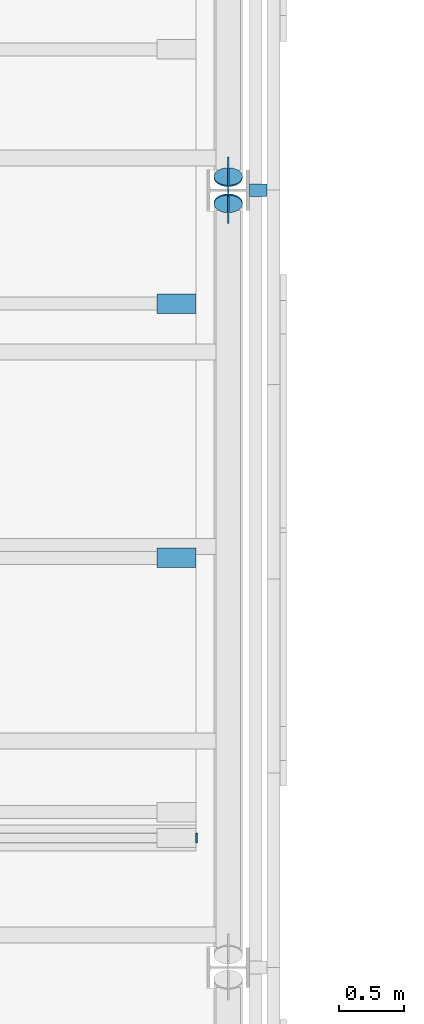
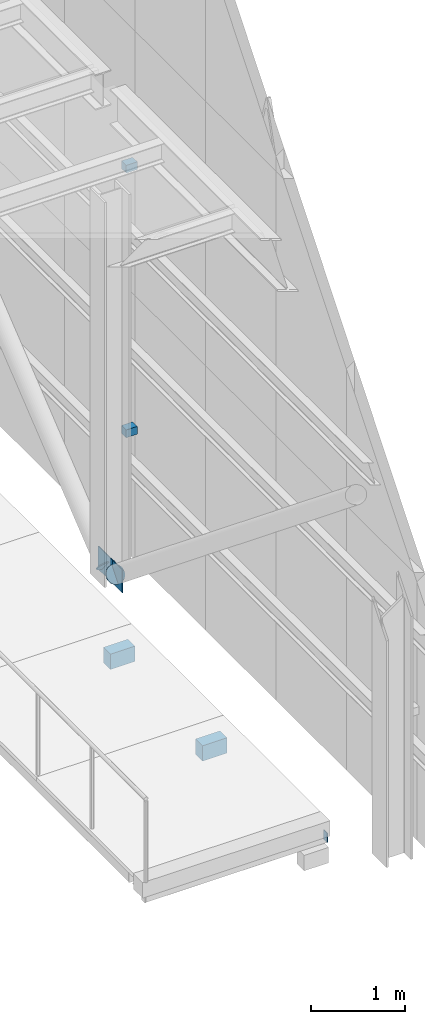
# One storey, part 23 of 43: 9 discrete accessories.
"""IFC4 building model written with IfcOpenShell, lengths in metres."""

from ifc_helpers import new_model, si_unit, direction, frame, origin, origin_2d, place, context, subcontext, project, spatial, rectangle, circle, extrude, material, material_profile, profile_set, type_object, element, save


model = new_model("IFC4")

# Units and contexts
model_context = context("Model", 3, precision=1e-05, world=origin(), true_north=direction((0.0, 1.0)))
body_context = subcontext(model_context, "Body", "Model", "MODEL_VIEW")
ifc_project = project(units=[si_unit("LENGTHUNIT", "METRE"), si_unit("AREAUNIT", "SQUARE_METRE"), si_unit("VOLUMEUNIT", "CUBIC_METRE"), si_unit("PLANEANGLEUNIT", "RADIAN"), si_unit("MASSUNIT", "GRAM", prefix="KILO")], contexts=[model_context])

# Site, building, storey
site_placement = place(None, origin())
site = spatial("IfcSite", under=ifc_project, at=site_placement, CompositionType="ELEMENT")
building_placement = place(site_placement, origin())
building = spatial("IfcBuilding", under=site, at=building_placement, Name="Saffron Lane Theatres", CompositionType="ELEMENT")
storey_placement = place(building_placement, frame((0.0, 0.0, 23.0)))
storey = spatial("IfcBuildingStorey", under=building, at=storey_placement, Name="Roof", CompositionType="ELEMENT", Elevation=23.0)

# Discrete accessories
ifc_material_1 = material(Name="Steel Grade 350", Category="steel")
ifc_material_profile_1 = material_profile(ifc_material_1, rectangle(XDim=0.300048828125, YDim=0.300048828125, at=origin_2d()))
ifc_profile_set_1 = profile_set([ifc_material_profile_1], Name="Steel Grade 350")
discrete_accessory_type_1 = type_object("IfcDiscreteAccessoryType", Name="ST-GUSSET CONNECTION PLATE", PredefinedType="BRACKET", material=ifc_profile_set_1)
for number, where, z_axis, x_axis, name in (
    (1, (47.7451171875, 41.89453125, 0.085205078125), (1.0, 0.0, 0.0), (0.0, 1.0, 0.0), "GB157"),
    (2, (47.7451171875, 42.10546875, 0.085205078125), (1.0, 0.0, 0.0), (0.0, 1.0, 0.0), "GB161"),
):
    element("IfcDiscreteAccessory", number, at=place(storey_placement, frame(where, z_axis=z_axis, x_axis=x_axis)), inside=storey, type_object=discrete_accessory_type_1, Name=name, PredefinedType="BRACKET", context=body_context, shape_type="SweptSolid", body=[
        extrude(rectangle(XDim=0.300048828125, YDim=0.300048828125, at=origin_2d()), origin(), (0.0, 0.0, 1.0), 0.009765625),
    ])
ifc_material_2 = material(Name="Steel Grade 350", Category="steel")
ifc_material_profile_2 = material_profile(ifc_material_2, rectangle(XDim=0.074951171875, YDim=0.125, at=origin_2d()))
ifc_profile_set_2 = profile_set([ifc_material_profile_2], Name="Steel Grade 350")
discrete_accessory_type_2 = type_object("IfcDiscreteAccessoryType", Name="ST-STEEL END CAP 125x75x5 RHS", PredefinedType="ANCHORPLATE", material=ifc_profile_set_2)
discrete_accessory_placement = place(storey_placement, frame((47.5, 37.0, -0.262451171875), z_axis=(1.0, 0.0, 0.0), x_axis=(0.0, 1.0, 0.0)))
element("IfcDiscreteAccessory", 3, at=discrete_accessory_placement, inside=storey, type_object=discrete_accessory_type_2, Name="EC604", PredefinedType="ANCHORPLATE", context=body_context, shape_type="SweptSolid", body=[
    extrude(rectangle(XDim=0.074951171875, YDim=0.125, at=origin_2d()), origin(), (0.0, 0.0, 1.0), 0.011962890625),
])
ifc_material_3 = material(Name="Steel Grade 350", Category="steel")
ifc_material_profile_3 = material_profile(ifc_material_3, circle(Radius=0.109619140625, at=origin_2d()))
ifc_profile_set_3 = profile_set([ifc_material_profile_3], Name="Steel Grade 350")
discrete_accessory_type_3 = type_object("IfcDiscreteAccessoryType", Name="ST-STEEL END CAP 219.1x8.2 CHS", PredefinedType="ANCHORPLATE", material=ifc_profile_set_3)
for number, where, z_axis, x_axis, name in (
    (4, (47.75, 41.904052734375, 0.07763671875), (0.0, -0.782823254756, 0.622244125575), (1.0, 0.0, 0.0), "EC103"),
    (5, (47.75, 42.095947265625, 0.07763671875), (0.0, 0.782823254756, 0.622244125575), (-1.0, 0.0, 0.0), "EC107"),
):
    element("IfcDiscreteAccessory", number, at=place(storey_placement, frame(where, z_axis=z_axis, x_axis=x_axis)), inside=storey, type_object=discrete_accessory_type_3, Name=name, PredefinedType="ANCHORPLATE", context=body_context, shape_type="SweptSolid", body=[
        extrude(circle(Radius=0.109619140625, at=origin_2d()), origin(), (0.0, 0.0, 1.0), 0.01220703125),
    ])
for number, where, z_axis, x_axis, name in (
    (6, (47.35009765625, 39.16259765625, -0.44775390625), (0.0, 0.0, 1.0), (1.0, 0.0, 0.0), "FKE23-3"),
    (7, (47.35009765625, 41.125, -0.44775390625), (0.0, 0.0, 1.0), (1.0, 0.0, 0.0), "FKE23-4"),
):
    element("IfcDiscreteAccessory", number, at=place(storey_placement, frame(where, z_axis=z_axis, x_axis=x_axis)), inside=storey, Name=name, PredefinedType="BRACKET", context=body_context, shape_type="SweptSolid", body=[
        extrude(rectangle(XDim=0.300048828125, YDim=0.14990234375, at=origin_2d()), origin(), (0.0, 0.0, 1.0), 0.199951171875),
    ])
for number, where, z_axis, x_axis, name in (
    (8, (47.981689453125, 42.0, 1.768798828125), (0.0, 0.0, 1.0), (0.0, 1.0, 0.0), "Tower panel bracket 77"),
    (9, (47.981689453125, 42.0, 5.206298828125), (0.0, 0.0, 1.0), (0.0, 1.0, 0.0), "Tower panel bracket 78"),
):
    element("IfcDiscreteAccessory", number, at=place(storey_placement, frame(where, z_axis=z_axis, x_axis=x_axis)), inside=storey, Name=name, PredefinedType="BRACKET", context=body_context, shape_type="SweptSolid", body=[
        extrude(rectangle(XDim=0.10009765625, YDim=0.136474609375, at=origin_2d()), origin(), (0.0, 0.0, 1.0), 0.10009765625),
    ])

save(model, "model.ifc")
